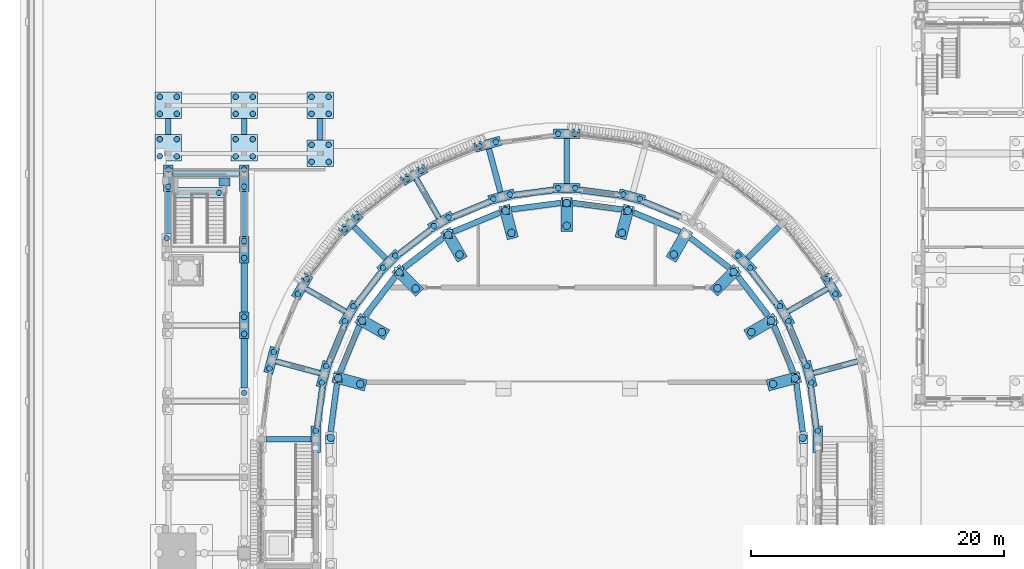
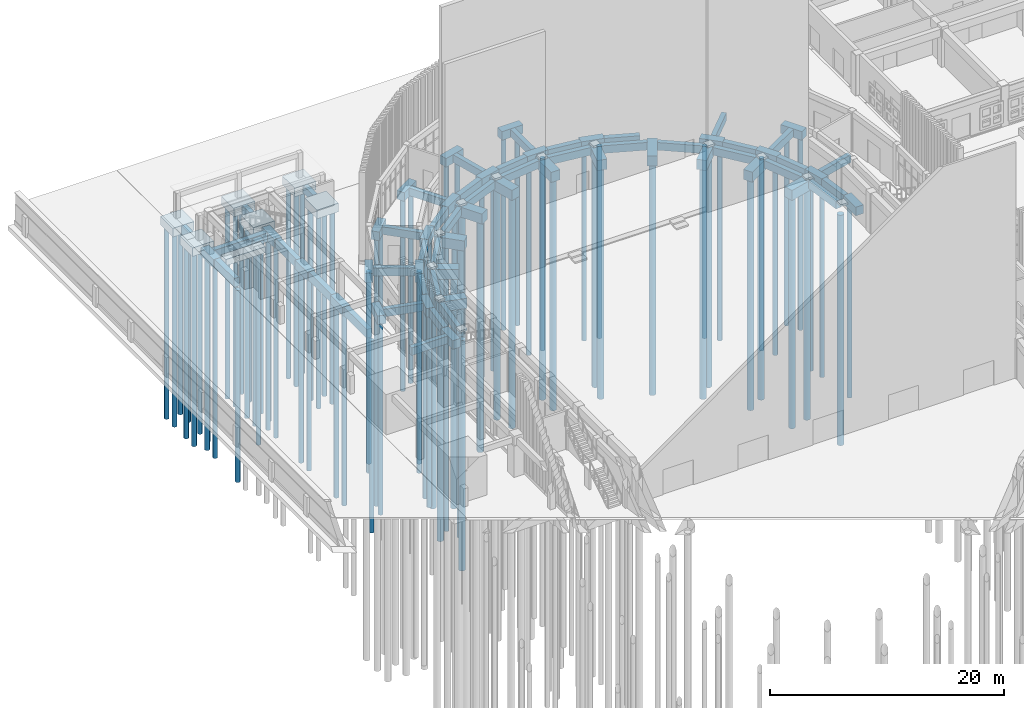
# One storey, part 7 of 112: 95 footings, 94 piles.
"""IFC4 building model written with IfcOpenShell, lengths in metres."""

from ifc_helpers import new_model, si_unit, direction, frame, origin, origin_2d, place, context, subcontext, project, spatial, rectangle, circle, extrude, material, material_profile, profile_set, type_object, element, save


model = new_model("IFC4")

# Units and contexts
model_context = context("Model", 3, precision=1e-05, world=origin(), true_north=direction((0.0, 1.0)))
body_context = subcontext(model_context, "Body", "Model", "MODEL_VIEW")
ifc_project = project(units=[si_unit("LENGTHUNIT", "METRE"), si_unit("AREAUNIT", "SQUARE_METRE"), si_unit("VOLUMEUNIT", "CUBIC_METRE"), si_unit("PLANEANGLEUNIT", "RADIAN"), si_unit("MASSUNIT", "GRAM", prefix="KILO")], contexts=[model_context])

# Site, building, storey
site_placement = place(None, origin())
site = spatial("IfcSite", under=ifc_project, at=site_placement, CompositionType="ELEMENT")
building_placement = place(site_placement, origin())
building = spatial("IfcBuilding", under=site, at=building_placement, Name="Wasatch Bagh Community Centre", CompositionType="ELEMENT")
storey_placement = place(building_placement, origin())
storey = spatial("IfcBuildingStorey", under=building, at=storey_placement, Name="L00", CompositionType="ELEMENT", Elevation=0.0)

# Footings
ifc_material_1 = material(Name="Concrete C35", Category="concrete")
footing_type_1 = type_object("IfcFootingType", Name="FD-GB-B", PredefinedType="FOOTING_BEAM", material=ifc_material_1)
for number, where, z_axis, x_axis, name in (
    (1, (57.25048828125, 70.694091796875, -1.0), (0.0, 0.0, 1.0), (0.965925826285, 0.258819045119, 0.0), "GB ground beam 89"),
    (2, (16.947509765625, 76.0, -1.0), (0.0, 0.0, 1.0), (-0.866025403767, 0.50000000003, 0.0), "GB ground beam 92"),
    (3, (14.74951171875, 70.694091796875, -1.0), (0.0, 0.0, 1.0), (-0.965925826285, 0.258819045119, 0.0), "GB ground beam 94"),
    (4, (55.052490234375, 76.0, -1.0), (0.0, 0.0, 1.0), (0.866025403767, 0.50000000003, 0.0), "GB ground beam 96"),
    (5, (51.556396484375, 80.556396484375, -1.0), (0.0, 0.0, 1.0), (0.707106781187, 0.707106781187, 0.0), "GB ground beam 98"),
    (6, (36.0, 87.0, -1.0), (0.0, 0.0, 1.0), (0.0, 1.0, 0.0), "GB ground beam 104"),
    (7, (30.305908203125, 86.25048828125, -1.0), (0.0, 0.0, 1.0), (-0.258819045119, 0.965925826285, 0.0), "GB ground beam 106"),
    (8, (25.0, 84.052490234375, -1.0), (0.0, 0.0, 1.0), (-0.50000000003, 0.866025403767, 0.0), "GB ground beam 108"),
    (9, (20.443603515625, 80.556396484375, -1.0), (0.0, 0.0, 1.0), (-0.707106781187, 0.707106781187, 0.0), "GB ground beam 109"),
    (10, (14.0, 65.0, -1.0), (0.0, 0.0, 1.0), (-1.0, 0.0, 0.0), "GB ground beam 144"),
):
    element("IfcFooting", number, at=place(storey_placement, frame(where, z_axis=z_axis, x_axis=x_axis)), inside=storey, type_object=footing_type_1, Name=name, PredefinedType="FOOTING_BEAM", context=body_context, shape_type="SweptSolid", body=[
        extrude(rectangle(XDim=3.550048828125, YDim=0.449951171875, at=origin_2d()), origin(), (0.0, 0.0, 1.0), 0.800048828125),
    ])
footing_1_placement = place(storey_placement, frame((54.42236328125, 67.48779296875, -1.0), z_axis=(0.0, 0.0, 1.0), x_axis=(-0.130526192203, 0.991444861376, 0.0)))
element("IfcFooting", 11, at=footing_1_placement, inside=storey, type_object=footing_type_1, Name="GB ground beam 231", PredefinedType="FOOTING_BEAM", context=body_context, shape_type="SweptSolid", body=[
    extrude(rectangle(XDim=3.85888671875, YDim=0.449951171875, at=origin_2d()), origin(), (0.0, 0.0, 1.0), 0.800048828125),
])
for number, where, z_axis, x_axis, name in (
    (12, (53.168212890625, 72.12939453125, -1.0), (0.0, 0.0, 1.0), (-0.382683432397, 0.923879532498, 0.0), "GB ground beam 232"),
    (13, (18.831787109375, 72.12939453125, -1.0), (0.0, 0.0, 1.0), (-0.382683432397, -0.923879532498, 0.0), "GB ground beam 233"),
):
    element("IfcFooting", number, at=place(storey_placement, frame(where, z_axis=z_axis, x_axis=x_axis)), inside=storey, type_object=footing_type_1, Name=name, PredefinedType="FOOTING_BEAM", context=body_context, shape_type="SweptSolid", body=[
        extrude(rectangle(XDim=4.024658203125, YDim=0.449951171875, at=origin_2d()), origin(), (0.0, 0.0, 1.0), 0.800048828125),
    ])
footing_2_placement = place(storey_placement, frame((21.25732421875, 76.32373046875, -1.0), z_axis=(0.0, 0.0, 1.0), x_axis=(0.608761429064, 0.793353340249, 0.0)))
element("IfcFooting", 14, at=footing_2_placement, inside=storey, type_object=footing_type_1, Name="GB ground beam 234", PredefinedType="FOOTING_BEAM", context=body_context, shape_type="SweptSolid", body=[
    extrude(rectangle(XDim=3.93359375, YDim=0.449951171875, at=origin_2d()), origin(), (0.0, 0.0, 1.0), 0.800048828125),
])
footing_3_placement = place(storey_placement, frame((17.57763671875, 67.48779296875, -1.0), z_axis=(0.0, 0.0, 1.0), x_axis=(-0.130526192203, -0.991444861376, 0.0)))
element("IfcFooting", 15, at=footing_3_placement, inside=storey, type_object=footing_type_1, Name="GB ground beam 235", PredefinedType="FOOTING_BEAM", context=body_context, shape_type="SweptSolid", body=[
    extrude(rectangle(XDim=3.85888671875, YDim=0.449951171875, at=origin_2d()), origin(), (0.0, 0.0, 1.0), 0.800048828125),
])
footing_4_placement = place(storey_placement, frame((50.73193359375, 76.337890625, -1.0), z_axis=(0.0, 0.0, 1.0), x_axis=(-0.608761429064, 0.793353340249, 0.0)))
element("IfcFooting", 16, at=footing_4_placement, inside=storey, type_object=footing_type_1, Name="GB ground beam 236", PredefinedType="FOOTING_BEAM", context=body_context, shape_type="SweptSolid", body=[
    extrude(rectangle(XDim=3.96923828125, YDim=0.449951171875, at=origin_2d()), origin(), (0.0, 0.0, 1.0), 0.800048828125),
])
footing_5_placement = place(storey_placement, frame((47.32373046875, 79.74267578125, -1.0), z_axis=(0.0, 0.0, 1.0), x_axis=(-0.793353340249, 0.608761429064, 0.0)))
element("IfcFooting", 17, at=footing_5_placement, inside=storey, type_object=footing_type_1, Name="GB ground beam 237", PredefinedType="FOOTING_BEAM", context=body_context, shape_type="SweptSolid", body=[
    extrude(rectangle(XDim=3.93359375, YDim=0.449951171875, at=origin_2d()), origin(), (0.0, 0.0, 1.0), 0.800048828125),
])
footing_6_placement = place(storey_placement, frame((43.12939453125, 82.168212890625, -1.0), z_axis=(0.0, 0.0, 1.0), x_axis=(-0.923879532498, 0.382683432397, 0.0)))
element("IfcFooting", 18, at=footing_6_placement, inside=storey, type_object=footing_type_1, Name="GB ground beam 238", PredefinedType="FOOTING_BEAM", context=body_context, shape_type="SweptSolid", body=[
    extrude(rectangle(XDim=4.024658203125, YDim=0.449951171875, at=origin_2d()), origin(), (0.0, 0.0, 1.0), 0.800048828125),
])
for number, where, z_axis, x_axis, name in (
    (19, (38.42529296875, 83.4306640625, -1.0), (0.0, 0.0, 1.0), (-0.991444861376, 0.130526192203, 0.0), "GB ground beam 239"),
    (20, (33.57470703125, 83.4306640625, -1.0), (0.0, 0.0, 1.0), (-0.991444861376, -0.130526192203, 0.0), "GB ground beam 240"),
):
    element("IfcFooting", number, at=place(storey_placement, frame(where, z_axis=z_axis, x_axis=x_axis)), inside=storey, type_object=footing_type_1, Name=name, PredefinedType="FOOTING_BEAM", context=body_context, shape_type="SweptSolid", body=[
        extrude(rectangle(XDim=3.98486328125, YDim=0.449951171875, at=origin_2d()), origin(), (0.0, 0.0, 1.0), 0.800048828125),
    ])
footing_7_placement = place(storey_placement, frame((28.87060546875, 82.168212890625, -1.0), z_axis=(0.0, 0.0, 1.0), x_axis=(-0.923879532498, -0.382683432397, 0.0)))
element("IfcFooting", 21, at=footing_7_placement, inside=storey, type_object=footing_type_1, Name="GB ground beam 241", PredefinedType="FOOTING_BEAM", context=body_context, shape_type="SweptSolid", body=[
    extrude(rectangle(XDim=4.024658203125, YDim=0.449951171875, at=origin_2d()), origin(), (0.0, 0.0, 1.0), 0.800048828125),
])
footing_8_placement = place(storey_placement, frame((24.662109375, 79.73193359375, -1.0), z_axis=(0.0, 0.0, 1.0), x_axis=(-0.793353340249, -0.608761429064, 0.0)))
element("IfcFooting", 22, at=footing_8_placement, inside=storey, type_object=footing_type_1, Name="GB ground beam 242", PredefinedType="FOOTING_BEAM", context=body_context, shape_type="SweptSolid", body=[
    extrude(rectangle(XDim=3.96923828125, YDim=0.449951171875, at=origin_2d()), origin(), (0.0, 0.0, 1.0), 0.800048828125),
])
footing_9_placement = place(storey_placement, frame((16.5, 89.5, -1.0), z_axis=(0.0, 0.0, 1.0), x_axis=(0.0, 1.0, 0.0)))
element("IfcFooting", 23, at=footing_9_placement, inside=storey, type_object=footing_type_1, Name="GB ground beam 316", PredefinedType="FOOTING_BEAM", context=body_context, shape_type="SweptSolid", body=[
    extrude(rectangle(XDim=1.699951171875, YDim=0.449951171875, at=origin_2d()), origin(), (0.0, 0.0, 1.0), 0.800048828125),
])
for number, where, z_axis, x_axis, name in (
    (24, (4.5, 89.72509765625, -1.0), (0.0, 0.0, 1.0), (0.0, -1.0, 0.0), "GB ground beam 317"),
    (25, (10.5, 89.72509765625, -1.0), (0.0, 0.0, 1.0), (0.0, -1.0, 0.0), "GB ground beam 318"),
):
    element("IfcFooting", number, at=place(storey_placement, frame(where, z_axis=z_axis, x_axis=x_axis)), inside=storey, type_object=footing_type_1, Name=name, PredefinedType="FOOTING_BEAM", context=body_context, shape_type="SweptSolid", body=[
        extrude(rectangle(XDim=1.25, YDim=0.449951171875, at=origin_2d()), origin(), (0.0, 0.0, 1.0), 0.800048828125),
    ])
footing_type_2 = type_object("IfcFootingType", Name="FD-GB-C", PredefinedType="FOOTING_BEAM", material=ifc_material_1)
for number, where, z_axis, x_axis, name in (
    (26, (10.5, 71.0, -1.099853515625), (0.0, 0.0, 1.0), (0.0, 1.0, 0.0), "GB ground beam 34"),
    (27, (10.5, 77.0, -1.099853515625), (0.0, 0.0, 1.0), (0.0, 1.0, 0.0), "GB ground beam 37"),
):
    element("IfcFooting", number, at=place(storey_placement, frame(where, z_axis=z_axis, x_axis=x_axis)), inside=storey, type_object=footing_type_2, Name=name, PredefinedType="FOOTING_BEAM", context=body_context, shape_type="SweptSolid", body=[
        extrude(rectangle(XDim=3.89990234375, YDim=0.5, at=origin_2d()), origin(), (0.0, 0.0, 1.0), 0.89990234375),
    ])
footing_10_placement = place(storey_placement, frame((10.5, 82.824951171875, -1.099853515625), z_axis=(0.0, 0.0, 1.0), x_axis=(0.0, 1.0, 0.0)))
element("IfcFooting", 28, at=footing_10_placement, inside=storey, type_object=footing_type_2, Name="GB ground beam 39", PredefinedType="FOOTING_BEAM", context=body_context, shape_type="SweptSolid", body=[
    extrude(rectangle(XDim=3.550048828125, YDim=0.5, at=origin_2d()), origin(), (0.0, 0.0, 1.0), 0.89990234375),
])
footing_11_placement = place(storey_placement, frame((4.5, 82.9375, -1.099853515625), z_axis=(0.0, 0.0, 1.0), x_axis=(0.0, 1.0, 0.0)))
element("IfcFooting", 29, at=footing_11_placement, inside=storey, type_object=footing_type_2, Name="GB ground beam 42", PredefinedType="FOOTING_BEAM", context=body_context, shape_type="SweptSolid", body=[
    extrude(rectangle(XDim=3.324951171875, YDim=0.5, at=origin_2d()), origin(), (0.0, 0.0, 1.0), 0.89990234375),
])
footing_12_placement = place(storey_placement, frame((7.5, 86.0, -1.099853515625), z_axis=(0.0, 0.0, 1.0), x_axis=(1.0, 0.0, 0.0)))
element("IfcFooting", 30, at=footing_12_placement, inside=storey, type_object=footing_type_2, Name="GB ground beam 43", PredefinedType="FOOTING_BEAM", context=body_context, shape_type="SweptSolid", body=[
    extrude(rectangle(XDim=5.25, YDim=0.5, at=origin_2d()), origin(), (0.0, 0.0, 1.0), 0.89990234375),
])
for number, where, z_axis, x_axis, name in (
    (31, (55.51171875, 67.56884765625, -1.099853515625), (0.0, 0.0, 1.0), (-0.130526192203, 0.991444861376, 0.0), "GB ground beam 86"),
    (32, (54.18212890625, 72.53125, -1.099853515625), (0.0, 0.0, 1.0), (-0.382683432397, 0.923879532498, 0.0), "GB ground beam 88"),
    (33, (17.81787109375, 72.53125, -1.099853515625), (0.0, 0.0, 1.0), (-0.382683432397, -0.923879532498, 0.0), "GB ground beam 90"),
    (34, (20.38671875, 76.98046875, -1.099853515625), (0.0, 0.0, 1.0), (0.608761428898, 0.793353340376, 0.0), "GB ground beam 91"),
    (35, (16.48828125, 67.56884765625, -1.099853515625), (0.0, 0.0, 1.0), (-0.130526192203, -0.991444861376, 0.0), "GB ground beam 93"),
    (36, (51.61328125, 76.98046875, -1.099853515625), (0.0, 0.0, 1.0), (-0.608761428898, 0.793353340376, 0.0), "GB ground beam 95"),
    (37, (43.53125, 83.18212890625, -1.099853515625), (0.0, 0.0, 1.0), (-0.923879532498, 0.382683432397, 0.0), "GB ground beam 99"),
    (38, (38.56884765625, 84.51171875, -1.099853515625), (0.0, 0.0, 1.0), (-0.991444861376, 0.130526192203, 0.0), "GB ground beam 101"),
    (39, (33.43115234375, 84.51171875, -1.099853515625), (0.0, 0.0, 1.0), (-0.991444861376, -0.130526192203, 0.0), "GB ground beam 103"),
    (40, (28.46875, 83.18212890625, -1.099853515625), (0.0, 0.0, 1.0), (-0.923879532498, -0.382683432397, 0.0), "GB ground beam 105"),
    (41, (24.01953125, 80.61328125, -1.099853515625), (0.0, 0.0, 1.0), (-0.793353340376, -0.608761428898, 0.0), "GB ground beam 107"),
):
    element("IfcFooting", number, at=place(storey_placement, frame(where, z_axis=z_axis, x_axis=x_axis)), inside=storey, type_object=footing_type_2, Name=name, PredefinedType="FOOTING_BEAM", context=body_context, shape_type="SweptSolid", body=[
        extrude(rectangle(XDim=3.063720703125, YDim=0.5, at=origin_2d()), origin(), (0.0, 0.0, 1.0), 0.89990234375),
    ])

# Piles
ifc_material_2 = material(Name="Concrete C30", Category="concrete")
ifc_material_profile_1 = material_profile(ifc_material_2, circle(Radius=0.22509765625, at=origin_2d()), Name="RC D450")
ifc_profile_set_1 = profile_set([ifc_material_profile_1], Name="Concrete C30")
pile_type_1 = type_object("IfcPileType", Name="FD-P450", PredefinedType="BORED", material=ifc_profile_set_1)
for number, where, z_axis, x_axis, name in (
    (42, (10.5, 68.675048828125, -1.10009765625), (0.0, 0.0, -1.0), (1.0, 0.0, 0.0), "P pile 42.2"),
    (43, (10.5, 73.324951171875, -1.10009765625), (0.0, 0.0, -1.0), (1.0, 0.0, 0.0), "P pile 44.1"),
    (44, (10.5, 74.675048828125, -1.10009765625), (0.0, 0.0, -1.0), (1.0, 0.0, 0.0), "P pile 44.2"),
    (45, (10.5, 79.324951171875, -1.10009765625), (0.0, 0.0, -1.0), (1.0, 0.0, 0.0), "P pile 45.1"),
    (46, (10.5, 80.675048828125, -1.10009765625), (0.0, 0.0, -1.0), (1.0, 0.0, 0.0), "P pile 45.2"),
    (47, (4.375, 80.89990234375, -1.10009765625), (0.0, 0.0, -1.0), (1.0, 0.0, 0.0), "P pile 46.2"),
    (48, (4.5, 84.97509765625, -1.10009765625), (0.0, 0.0, -1.0), (1.0, 0.0, 0.0), "P pile 47.1"),
    (49, (4.5, 86.324951171875, -1.10009765625), (0.0, 0.0, -1.0), (1.0, 0.0, 0.0), "P pile 47.2"),
    (50, (10.5, 84.97509765625, -1.10009765625), (0.0, 0.0, -1.0), (1.0, 0.0, 0.0), "P pile 48.1"),
    (51, (10.5, 86.324951171875, -1.10009765625), (0.0, 0.0, -1.0), (1.0, 0.0, 0.0), "P pile 48.2"),
    (52, (16.14990234375, 65.675048828125, -1.10009765625), (0.0, 0.0, -1.0), (1.0, 0.0, 0.0), "P pile 126.2"),
    (53, (55.85009765625, 65.675048828125, -1.10009765625), (0.0, 0.0, -1.0), (1.0, 0.0, 0.0), "P pile 127.2"),
    (54, (17.0009765625, 70.78955078125, -1.10009765625), (0.0, 0.0, -1.0), (1.0, 0.0, 0.0), "P pile 129.1"),
    (55, (16.651611328125, 69.485595703125, -1.10009765625), (0.0, 0.0, -1.0), (1.0, 0.0, 0.0), "P pile 129.2"),
    (56, (55.348388671875, 69.485595703125, -1.10009765625), (0.0, 0.0, -1.0), (1.0, 0.0, 0.0), "P pile 130.1"),
    (57, (54.9990234375, 70.78955078125, -1.10009765625), (0.0, 0.0, -1.0), (1.0, 0.0, 0.0), "P pile 130.2"),
    (58, (12.84765625, 71.902587890625, -1.10009765625), (0.0, 0.0, -1.0), (1.0, 0.0, 0.0), "P pile 131.1"),
    (59, (12.498291015625, 70.598388671875, -1.10009765625), (0.0, 0.0, -1.0), (1.0, 0.0, 0.0), "P pile 131.2"),
    (60, (19.14697265625, 75.509521484375, -1.10009765625), (0.0, 0.0, -1.0), (1.0, 0.0, 0.0), "P pile 133.1"),
    (61, (18.471923828125, 74.34033203125, -1.10009765625), (0.0, 0.0, -1.0), (1.0, 0.0, 0.0), "P pile 133.2"),
    (62, (53.528076171875, 74.34033203125, -1.10009765625), (0.0, 0.0, -1.0), (1.0, 0.0, 0.0), "P pile 134.1"),
    (63, (52.85302734375, 75.509521484375, -1.10009765625), (0.0, 0.0, -1.0), (1.0, 0.0, 0.0), "P pile 134.2"),
    (64, (15.423095703125, 77.65966796875, -1.10009765625), (0.0, 0.0, -1.0), (1.0, 0.0, 0.0), "P pile 135.1"),
    (65, (14.748046875, 76.490478515625, -1.10009765625), (0.0, 0.0, -1.0), (1.0, 0.0, 0.0), "P pile 135.2"),
    (66, (57.251953125, 76.490478515625, -1.10009765625), (0.0, 0.0, -1.0), (1.0, 0.0, 0.0), "P pile 136.1"),
    (67, (56.576904296875, 77.65966796875, -1.10009765625), (0.0, 0.0, -1.0), (1.0, 0.0, 0.0), "P pile 136.2"),
    (68, (22.441162109375, 79.513427734375, -1.10009765625), (0.0, 0.0, -1.0), (1.0, 0.0, 0.0), "P pile 137.1"),
    (69, (21.486572265625, 78.558837890625, -1.10009765625), (0.0, 0.0, -1.0), (1.0, 0.0, 0.0), "P pile 137.2"),
    (70, (50.513427734375, 78.558837890625, -1.10009765625), (0.0, 0.0, -1.0), (1.0, 0.0, 0.0), "P pile 138.1"),
    (71, (49.558837890625, 79.513427734375, -1.10009765625), (0.0, 0.0, -1.0), (1.0, 0.0, 0.0), "P pile 138.2"),
    (72, (19.400634765625, 82.553955078125, -1.10009765625), (0.0, 0.0, -1.0), (1.0, 0.0, 0.0), "P pile 139.1"),
    (73, (18.446044921875, 81.599365234375, -1.10009765625), (0.0, 0.0, -1.0), (1.0, 0.0, 0.0), "P pile 139.2"),
    (74, (26.65966796875, 82.528076171875, -1.10009765625), (0.0, 0.0, -1.0), (1.0, 0.0, 0.0), "P pile 141.1"),
    (75, (25.490478515625, 81.85302734375, -1.10009765625), (0.0, 0.0, -1.0), (1.0, 0.0, 0.0), "P pile 141.2"),
    (76, (31.514404296875, 84.348388671875, -1.10009765625), (0.0, 0.0, -1.0), (1.0, 0.0, 0.0), "P pile 143.1"),
    (77, (30.21044921875, 83.9990234375, -1.10009765625), (0.0, 0.0, -1.0), (1.0, 0.0, 0.0), "P pile 143.2"),
    (78, (41.78955078125, 83.9990234375, -1.10009765625), (0.0, 0.0, -1.0), (1.0, 0.0, 0.0), "P pile 144.1"),
    (79, (40.485595703125, 84.348388671875, -1.10009765625), (0.0, 0.0, -1.0), (1.0, 0.0, 0.0), "P pile 144.2"),
    (80, (36.675048828125, 84.85009765625, -1.10009765625), (0.0, 0.0, -1.0), (1.0, 0.0, 0.0), "P pile 145.1"),
    (81, (35.324951171875, 84.85009765625, -1.10009765625), (0.0, 0.0, -1.0), (1.0, 0.0, 0.0), "P pile 145.2"),
    (82, (24.509521484375, 86.251953125, -1.10009765625), (0.0, 0.0, -1.0), (1.0, 0.0, 0.0), "P pile 146.1"),
    (83, (23.34033203125, 85.576904296875, -1.10009765625), (0.0, 0.0, -1.0), (1.0, 0.0, 0.0), "P pile 146.2"),
    (84, (30.401611328125, 88.501708984375, -1.10009765625), (0.0, 0.0, -1.0), (1.0, 0.0, 0.0), "P pile 148.1"),
    (85, (29.097412109375, 88.15234375, -1.10009765625), (0.0, 0.0, -1.0), (1.0, 0.0, 0.0), "P pile 148.2"),
    (86, (36.675048828125, 89.14990234375, -1.10009765625), (0.0, 0.0, -1.0), (1.0, 0.0, 0.0), "P pile 150.1"),
    (87, (35.324951171875, 89.14990234375, -1.10009765625), (0.0, 0.0, -1.0), (1.0, 0.0, 0.0), "P pile 150.2"),
    (88, (15.824951171875, 86.925048828125, -1.10009765625), (0.0, 0.0, -1.0), (1.0, 0.0, 0.0), "P pile 320.1"),
    (89, (17.175048828125, 86.925048828125, -1.10009765625), (0.0, 0.0, -1.0), (1.0, 0.0, 0.0), "P pile 320.2"),
    (90, (15.824951171875, 88.27490234375, -1.10009765625), (0.0, 0.0, -1.0), (1.0, 0.0, 0.0), "P pile 320.3"),
    (91, (17.175048828125, 88.27490234375, -1.10009765625), (0.0, 0.0, -1.0), (1.0, 0.0, 0.0), "P pile 320.4"),
    (92, (3.824951171875, 87.375, -1.10009765625), (0.0, 0.0, -1.0), (1.0, 0.0, 0.0), "P pile 321.1"),
    (93, (5.175048828125, 87.375, -1.10009765625), (0.0, 0.0, -1.0), (1.0, 0.0, 0.0), "P pile 321.2"),
    (94, (3.824951171875, 88.72509765625, -1.10009765625), (0.0, 0.0, -1.0), (1.0, 0.0, 0.0), "P pile 321.3"),
    (95, (5.175048828125, 88.72509765625, -1.10009765625), (0.0, 0.0, -1.0), (1.0, 0.0, 0.0), "P pile 321.4"),
    (96, (9.824951171875, 87.375, -1.10009765625), (0.0, 0.0, -1.0), (1.0, 0.0, 0.0), "P pile 322.1"),
    (97, (11.175048828125, 87.375, -1.10009765625), (0.0, 0.0, -1.0), (1.0, 0.0, 0.0), "P pile 322.2"),
    (98, (9.824951171875, 88.72509765625, -1.10009765625), (0.0, 0.0, -1.0), (1.0, 0.0, 0.0), "P pile 322.3"),
    (99, (11.175048828125, 88.72509765625, -1.10009765625), (0.0, 0.0, -1.0), (1.0, 0.0, 0.0), "P pile 322.4"),
    (100, (3.824951171875, 90.72509765625, -1.10009765625), (0.0, 0.0, -1.0), (1.0, 0.0, 0.0), "P pile 323.1"),
    (101, (5.175048828125, 90.72509765625, -1.10009765625), (0.0, 0.0, -1.0), (1.0, 0.0, 0.0), "P pile 323.2"),
    (102, (3.824951171875, 92.074951171875, -1.10009765625), (0.0, 0.0, -1.0), (1.0, 0.0, 0.0), "P pile 323.3"),
    (103, (5.175048828125, 92.074951171875, -1.10009765625), (0.0, 0.0, -1.0), (1.0, 0.0, 0.0), "P pile 323.4"),
    (104, (9.824951171875, 90.72509765625, -1.10009765625), (0.0, 0.0, -1.0), (1.0, 0.0, 0.0), "P pile 324.1"),
    (105, (11.175048828125, 90.72509765625, -1.10009765625), (0.0, 0.0, -1.0), (1.0, 0.0, 0.0), "P pile 324.2"),
    (106, (9.824951171875, 92.074951171875, -1.10009765625), (0.0, 0.0, -1.0), (1.0, 0.0, 0.0), "P pile 324.3"),
    (107, (11.175048828125, 92.074951171875, -1.10009765625), (0.0, 0.0, -1.0), (1.0, 0.0, 0.0), "P pile 324.4"),
    (108, (15.824951171875, 90.72509765625, -1.10009765625), (0.0, 0.0, -1.0), (1.0, 0.0, 0.0), "P pile 325.1"),
    (109, (17.175048828125, 90.72509765625, -1.10009765625), (0.0, 0.0, -1.0), (1.0, 0.0, 0.0), "P pile 325.2"),
    (110, (15.824951171875, 92.074951171875, -1.10009765625), (0.0, 0.0, -1.0), (1.0, 0.0, 0.0), "P pile 325.3"),
    (111, (17.175048828125, 92.074951171875, -1.10009765625), (0.0, 0.0, -1.0), (1.0, 0.0, 0.0), "P pile 325.4"),
    (112, (8.5, 84.5, -0.85009765625), (0.0, 0.0, -1.0), (1.0, 0.0, 0.0), "P pile SF3.1"),
):
    element("IfcPile", number, at=place(storey_placement, frame(where, z_axis=z_axis, x_axis=x_axis)), inside=storey, type_object=pile_type_1, Name=name, PredefinedType="BORED", context=body_context, shape_type="SweptSolid", body=[
        extrude(circle(Radius=0.22509765625, at=origin_2d()), origin(), (0.0, 0.0, 1.0), 20.0),
    ])
ifc_material_profile_2 = material_profile(ifc_material_2, circle(Radius=0.300048828125, at=origin_2d()), Name="RC D600")
ifc_profile_set_2 = profile_set([ifc_material_profile_2], Name="Concrete C30")
pile_type_2 = type_object("IfcPileType", Name="FD-P600", PredefinedType="BORED", material=ifc_profile_set_2)
for number, where, z_axis, x_axis, name in (
    (113, (17.35009765625, 65.125, -1.25), (0.0, 0.0, -1.0), (1.0, 0.0, 0.0), "P pile 234.2"),
    (114, (54.64990234375, 65.125, -1.25), (0.0, 0.0, -1.0), (1.0, 0.0, 0.0), "P pile 235.2"),
    (115, (17.944580078125, 69.835693359375, -1.25), (0.0, 0.0, -1.0), (1.0, 0.0, 0.0), "P pile 236.1"),
    (116, (19.68310546875, 69.369873046875, -1.25), (0.0, 0.0, -1.0), (1.0, 0.0, 0.0), "P pile 236.2"),
    (117, (54.055419921875, 69.835693359375, -1.25), (0.0, 0.0, -1.0), (1.0, 0.0, 0.0), "P pile 237.1"),
    (118, (52.31689453125, 69.369873046875, -1.25), (0.0, 0.0, -1.0), (1.0, 0.0, 0.0), "P pile 237.2"),
    (119, (19.83251953125, 74.375, -1.25), (0.0, 0.0, -1.0), (1.0, 0.0, 0.0), "P pile 238.1"),
    (120, (21.391357421875, 73.47509765625, -1.25), (0.0, 0.0, -1.0), (1.0, 0.0, 0.0), "P pile 238.2"),
    (121, (52.16748046875, 74.375, -1.25), (0.0, 0.0, -1.0), (1.0, 0.0, 0.0), "P pile 239.1"),
    (122, (50.608642578125, 73.47509765625, -1.25), (0.0, 0.0, -1.0), (1.0, 0.0, 0.0), "P pile 239.2"),
    (123, (22.7802734375, 78.194580078125, -1.25), (0.0, 0.0, -1.0), (1.0, 0.0, 0.0), "P pile 240.1"),
    (124, (24.05322265625, 76.921875, -1.25), (0.0, 0.0, -1.0), (1.0, 0.0, 0.0), "P pile 240.2"),
    (125, (49.194580078125, 78.2197265625, -1.25), (0.0, 0.0, -1.0), (1.0, 0.0, 0.0), "P pile 241.1"),
    (126, (47.921875, 76.94677734375, -1.25), (0.0, 0.0, -1.0), (1.0, 0.0, 0.0), "P pile 241.2"),
    (127, (26.625, 81.16748046875, -1.25), (0.0, 0.0, -1.0), (1.0, 0.0, 0.0), "P pile 242.1"),
    (128, (27.52490234375, 79.608642578125, -1.25), (0.0, 0.0, -1.0), (1.0, 0.0, 0.0), "P pile 242.2"),
    (129, (44.47509765625, 79.608642578125, -1.25), (0.0, 0.0, -1.0), (1.0, 0.0, 0.0), "P pile 243.2"),
    (130, (31.164306640625, 83.055419921875, -1.25), (0.0, 0.0, -1.0), (1.0, 0.0, 0.0), "P pile 244.1"),
    (131, (31.630126953125, 81.31689453125, -1.25), (0.0, 0.0, -1.0), (1.0, 0.0, 0.0), "P pile 244.2"),
    (132, (40.835693359375, 83.055419921875, -1.25), (0.0, 0.0, -1.0), (1.0, 0.0, 0.0), "P pile 245.1"),
    (133, (40.369873046875, 81.31689453125, -1.25), (0.0, 0.0, -1.0), (1.0, 0.0, 0.0), "P pile 245.2"),
    (134, (36.0, 83.675048828125, -1.25), (0.0, 0.0, -1.0), (1.0, 0.0, 0.0), "P pile 246.1"),
    (135, (36.0, 81.875, -1.25), (0.0, 0.0, -1.0), (1.0, 0.0, 0.0), "P pile 246.2"),
):
    element("IfcPile", number, at=place(storey_placement, frame(where, z_axis=z_axis, x_axis=x_axis)), inside=storey, type_object=pile_type_2, Name=name, PredefinedType="BORED", context=body_context, shape_type="SweptSolid", body=[
        extrude(circle(Radius=0.300048828125, at=origin_2d()), origin(), (0.0, 0.0, 1.0), 24.0),
    ])

# Footings
footing_type_3 = type_object("IfcFootingType", Name="FD-PC2", PredefinedType="PILE_CAP", material=ifc_material_2)
for number, where, z_axis, x_axis, name in (
    (136, (10.5, 74.0, -1.099853515625), (0.0, 0.0, 1.0), (0.0, 1.0, 0.0), "PC cap 44"),
    (137, (10.5, 80.0, -1.099853515625), (0.0, 0.0, 1.0), (0.0, 1.0, 0.0), "PC cap 45"),
    (138, (4.5, 85.64990234375, -1.099853515625), (0.0, 0.0, 1.0), (0.0, 1.0, 0.0), "PC cap 47"),
    (139, (10.5, 85.64990234375, -1.099853515625), (0.0, 0.0, 1.0), (0.0, 1.0, 0.0), "PC cap 48"),
    (140, (16.14990234375, 65.0, -1.099853515625), (0.0, 0.0, 1.0), (0.0, 1.0, 0.0), "PC cap 126"),
    (141, (55.85009765625, 65.0, -1.099853515625), (0.0, 0.0, 1.0), (0.0, 1.0, 0.0), "PC cap 127"),
    (142, (16.826416015625, 70.137451171875, -1.099853515625), (0.0, 0.0, 1.0), (-0.258819045086, -0.965925826294, 0.0), "PC cap 129"),
    (143, (55.173583984375, 70.137451171875, -1.099853515625), (0.0, 0.0, 1.0), (-0.258819045086, 0.965925826294, 0.0), "PC cap 130"),
    (144, (12.6728515625, 71.25048828125, -1.099853515625), (0.0, 0.0, 1.0), (-0.258819045086, -0.965925826294, 0.0), "PC cap 131"),
    (145, (18.809326171875, 74.925048828125, -1.099853515625), (0.0, 0.0, 1.0), (-0.5, -0.866025403784, 0.0), "PC cap 133"),
    (146, (53.190673828125, 74.925048828125, -1.099853515625), (0.0, 0.0, 1.0), (-0.5, 0.866025403784, 0.0), "PC cap 134"),
    (147, (15.08544921875, 77.074951171875, -1.099853515625), (0.0, 0.0, 1.0), (-0.5, -0.866025403784, 0.0), "PC cap 135"),
    (148, (56.91455078125, 77.074951171875, -1.099853515625), (0.0, 0.0, 1.0), (-0.5, 0.866025403784, 0.0), "PC cap 136"),
    (149, (21.9638671875, 79.0361328125, -1.099853515625), (0.0, 0.0, 1.0), (-0.707106781187, -0.707106781187, 0.0), "PC cap 137"),
    (150, (50.0361328125, 79.0361328125, -1.099853515625), (0.0, 0.0, 1.0), (-0.707106781187, 0.707106781187, 0.0), "PC cap 138"),
    (151, (18.92333984375, 82.07666015625, -1.099853515625), (0.0, 0.0, 1.0), (-0.707106781187, -0.707106781187, 0.0), "PC cap 139"),
    (152, (26.074951171875, 82.190673828125, -1.099853515625), (0.0, 0.0, 1.0), (-0.866025403784, -0.5, 0.0), "PC cap 141"),
    (153, (30.862548828125, 84.173583984375, -1.099853515625), (0.0, 0.0, 1.0), (-0.965925826294, -0.258819045086, 0.0), "PC cap 143"),
    (154, (41.137451171875, 84.173583984375, -1.099853515625), (0.0, 0.0, 1.0), (-0.965925826294, 0.258819045086, 0.0), "PC cap 144"),
    (155, (36.0, 84.85009765625, -1.099853515625), (0.0, 0.0, 1.0), (-1.0, 0.0, 0.0), "PC cap 145"),
    (156, (23.925048828125, 85.91455078125, -1.099853515625), (0.0, 0.0, 1.0), (-0.866025403784, -0.5, 0.0), "PC cap 146"),
    (157, (29.74951171875, 88.3271484375, -1.099853515625), (0.0, 0.0, 1.0), (-0.965925826294, -0.258819045086, 0.0), "PC cap 148"),
    (158, (36.0, 89.14990234375, -1.099853515625), (0.0, 0.0, 1.0), (-1.0, 0.0, 0.0), "PC cap 150"),
):
    element("IfcFooting", number, at=place(storey_placement, frame(where, z_axis=z_axis, x_axis=x_axis)), inside=storey, type_object=footing_type_3, Name=name, PredefinedType="PILE_CAP", context=body_context, shape_type="SweptSolid", body=[
        extrude(rectangle(XDim=2.10009765625, YDim=0.75, at=origin_2d()), origin(), (0.0, 0.0, 1.0), 0.89990234375),
    ])
footing_type_4 = type_object("IfcFootingType", Name="FD-PC3", PredefinedType="PILE_CAP", material=ifc_material_2)
for number, where, z_axis, x_axis, name in (
    (159, (18.81396484375, 69.602783203125, -1.25), (0.0, 0.0, 1.0), (0.965925826285, -0.258819045119, 0.0), "PC cap 236"),
    (160, (53.18603515625, 69.602783203125, -1.25), (0.0, 0.0, 1.0), (-0.965925826285, -0.258819045119, 0.0), "PC cap 237"),
    (161, (20.612060546875, 73.925048828125, -1.25), (0.0, 0.0, 1.0), (0.866025403784, -0.5, 0.0), "PC cap 238"),
    (162, (51.387939453125, 73.925048828125, -1.25), (0.0, 0.0, 1.0), (-0.866025403784, -0.5, 0.0), "PC cap 239"),
    (163, (23.416748046875, 77.558349609375, -1.25), (0.0, 0.0, 1.0), (0.707106781187, -0.707106781187, 0.0), "PC cap 240"),
    (164, (48.558349609375, 77.583251953125, -1.25), (0.0, 0.0, 1.0), (-0.707106781187, -0.707106781187, 0.0), "PC cap 241"),
    (165, (27.074951171875, 80.387939453125, -1.25), (0.0, 0.0, 1.0), (0.5, -0.866025403784, 0.0), "PC cap 242"),
    (166, (44.925048828125, 80.387939453125, -1.25), (0.0, 0.0, 1.0), (-0.5, -0.866025403784, 0.0), "PC cap 243"),
    (167, (31.397216796875, 82.18603515625, -1.25), (0.0, 0.0, 1.0), (0.258819045119, -0.965925826285, 0.0), "PC cap 244"),
    (168, (40.602783203125, 82.18603515625, -1.25), (0.0, 0.0, 1.0), (-0.258819045119, -0.965925826285, 0.0), "PC cap 245"),
    (169, (36.0, 82.77490234375, -1.25), (0.0, 0.0, 1.0), (0.0, -1.0, 0.0), "PC cap 246"),
):
    element("IfcFooting", number, at=place(storey_placement, frame(where, z_axis=z_axis, x_axis=x_axis)), inside=storey, type_object=footing_type_4, Name=name, PredefinedType="PILE_CAP", context=body_context, shape_type="SweptSolid", body=[
        extrude(rectangle(XDim=2.699951171875, YDim=0.89990234375, at=origin_2d()), origin(), (0.0, 0.0, 1.0), 1.050048828125),
    ])
footing_type_5 = type_object("IfcFootingType", Name="FD-PC4", PredefinedType="PILE_CAP", material=ifc_material_2)
for number, where, z_axis, x_axis, name in (
    (170, (16.5, 87.60009765625, -1.099853515625), (0.0, 0.0, 1.0), (1.0, 0.0, 0.0), "PC cap 320"),
    (171, (4.5, 88.050048828125, -1.099853515625), (0.0, 0.0, 1.0), (1.0, 0.0, 0.0), "PC cap 321"),
    (172, (10.5, 88.050048828125, -1.099853515625), (0.0, 0.0, 1.0), (1.0, 0.0, 0.0), "PC cap 322"),
    (173, (4.5, 91.39990234375, -1.099853515625), (0.0, 0.0, 1.0), (1.0, 0.0, 0.0), "PC cap 323"),
    (174, (10.5, 91.39990234375, -1.099853515625), (0.0, 0.0, 1.0), (1.0, 0.0, 0.0), "PC cap 324"),
    (175, (16.5, 91.39990234375, -1.099853515625), (0.0, 0.0, 1.0), (1.0, 0.0, 0.0), "PC cap 325"),
):
    element("IfcFooting", number, at=place(storey_placement, frame(where, z_axis=z_axis, x_axis=x_axis)), inside=storey, type_object=footing_type_5, Name=name, PredefinedType="PILE_CAP", context=body_context, shape_type="SweptSolid", body=[
        extrude(rectangle(XDim=2.10009765625, YDim=2.10009765625, at=origin_2d()), origin(), (0.0, 0.0, 1.0), 0.89990234375),
    ])
footing_type_6 = type_object("IfcFootingType", Name="FD-PD1", PredefinedType="PAD_FOOTING", material=ifc_material_2)
for number, where, z_axis, x_axis, name in (
    (176, (54.75, 65.0, -0.2001953125), (0.0, 0.0, 1.0), (1.0, 0.0, 0.0), "PD pedestal 7"),
    (177, (54.111083984375, 69.852783203125, -0.2001953125), (0.0, 0.0, 1.0), (1.0, 0.0, 0.0), "PD pedestal 8"),
    (178, (19.761962890625, 74.375, -0.2001953125), (0.0, 0.0, 1.0), (1.0, 0.0, 0.0), "PD pedestal 9"),
    (179, (17.888916015625, 69.852783203125, -0.2001953125), (0.0, 0.0, 1.0), (1.0, 0.0, 0.0), "PD pedestal 10"),
    (180, (52.238037109375, 74.375, -0.2001953125), (0.0, 0.0, 1.0), (1.0, 0.0, 0.0), "PD pedestal 11"),
    (181, (49.25830078125, 78.25830078125, -0.2001953125), (0.0, 0.0, 1.0), (1.0, 0.0, 0.0), "PD pedestal 12"),
    (182, (40.852783203125, 83.111083984375, -0.2001953125), (0.0, 0.0, 1.0), (1.0, 0.0, 0.0), "PD pedestal 14"),
    (183, (36.0, 83.75, -0.2001953125), (0.0, 0.0, 1.0), (1.0, 0.0, 0.0), "PD pedestal 15"),
    (184, (31.147216796875, 83.111083984375, -0.2001953125), (0.0, 0.0, 1.0), (1.0, 0.0, 0.0), "PD pedestal 16"),
    (185, (26.625, 81.238037109375, -0.2001953125), (0.0, 0.0, 1.0), (1.0, 0.0, 0.0), "PD pedestal 17"),
    (186, (22.74169921875, 78.25830078125, -0.2001953125), (0.0, 0.0, 1.0), (1.0, 0.0, 0.0), "PD pedestal 18"),
    (187, (17.25, 65.0, -0.2001953125), (0.0, 0.0, 1.0), (1.0, 0.0, 0.0), "PD pedestal 36"),
):
    element("IfcFooting", number, at=place(storey_placement, frame(where, z_axis=z_axis, x_axis=x_axis)), inside=storey, type_object=footing_type_6, Name=name, PredefinedType="PAD_FOOTING", context=body_context, shape_type="SweptSolid", body=[
        extrude(rectangle(XDim=0.699951171875, YDim=0.699951171875, at=origin_2d()), origin(), (0.0, 0.0, 1.0), 0.199951171875),
    ])
footing_type_7 = type_object("IfcFootingType", Name="FD-SF2", PredefinedType="STRIP_FOOTING", material=ifc_material_2)
footing_13_placement = place(storey_placement, frame((7.0, 84.5, -0.849853515625), z_axis=(0.0, 0.0, 1.0), x_axis=(1.0, 0.0, 0.0)))
element("IfcFooting", 188, at=footing_13_placement, inside=storey, type_object=footing_type_7, Name="SF wall footing 3", PredefinedType="STRIP_FOOTING", context=body_context, shape_type="SweptSolid", body=[
    extrude(rectangle(XDim=3.89990234375, YDim=0.85009765625, at=origin_2d()), origin(), (0.0, 0.0, 1.0), 0.64990234375),
])
footing_14_placement = place(storey_placement, frame((8.949951171875, 85.33740234375, -0.849853515625), z_axis=(0.0, 0.0, 1.0), x_axis=(0.0, 1.0, 0.0)))
element("IfcFooting", 189, at=footing_14_placement, inside=storey, type_object=footing_type_7, Name="SF wall footing 4", PredefinedType="STRIP_FOOTING", context=body_context, shape_type="SweptSolid", body=[
    extrude(rectangle(XDim=0.625, YDim=0.85009765625, at=origin_2d()), origin(), (0.0, 0.0, 1.0), 0.64990234375),
])

save(model, "model.ifc")
